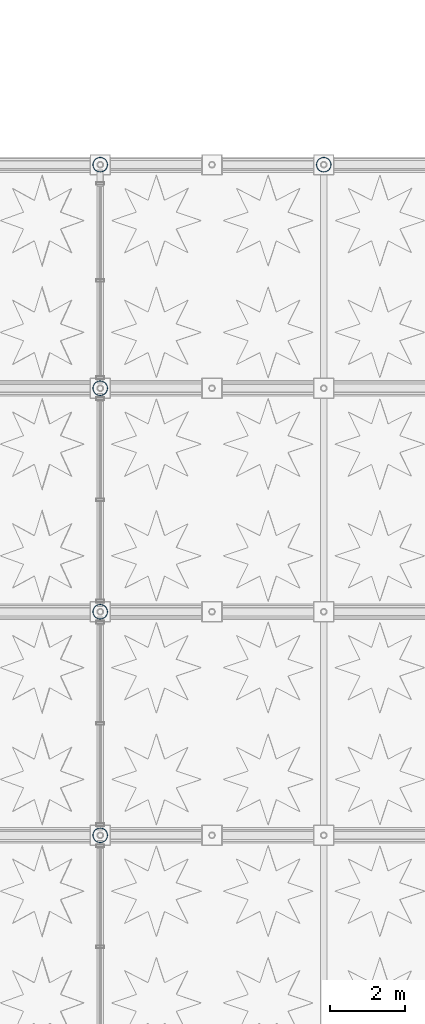
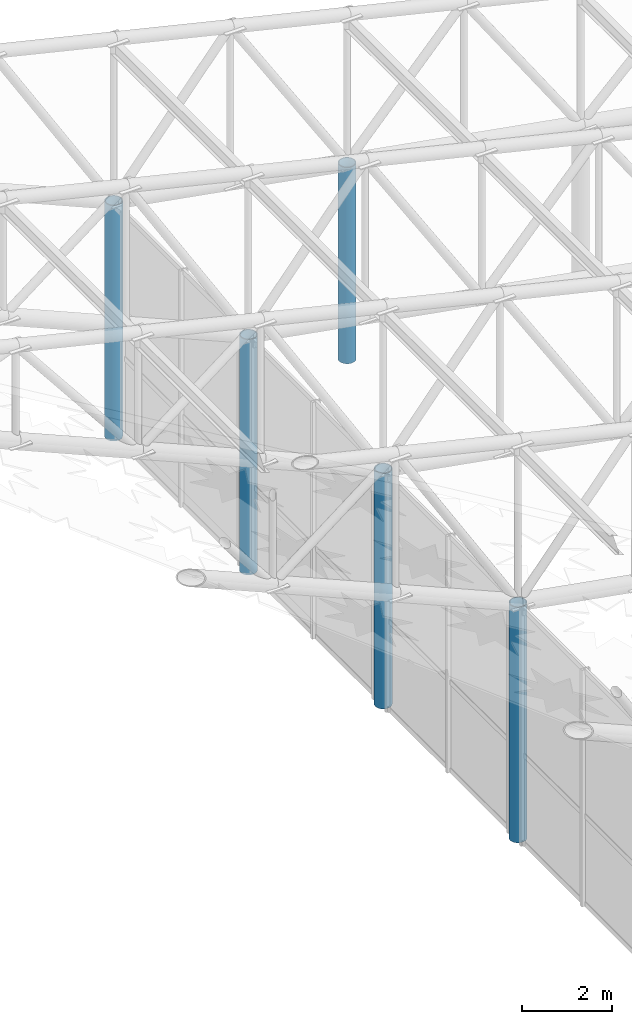
# One storey, part 10 of 112: 5 columns.
"""IFC4 building model written with IfcOpenShell, lengths in metres."""

from ifc_helpers import new_model, si_unit, direction, frame, origin, origin_2d, place, context, subcontext, project, spatial, hollow_circle, extrude, material, material_profile, profile_set, type_object, element, save


model = new_model("IFC4")

# Units and contexts
model_context = context("Model", 3, precision=1e-05, world=origin(), true_north=direction((0.0, 1.0)))
body_context = subcontext(model_context, "Body", "Model", "MODEL_VIEW")
ifc_project = project(units=[si_unit("LENGTHUNIT", "METRE"), si_unit("AREAUNIT", "SQUARE_METRE"), si_unit("VOLUMEUNIT", "CUBIC_METRE"), si_unit("PLANEANGLEUNIT", "RADIAN"), si_unit("MASSUNIT", "GRAM", prefix="KILO"), si_unit("THERMODYNAMICTEMPERATUREUNIT", "KELVIN"), si_unit("POWERUNIT", "WATT")], contexts=[model_context])

# Site, building, storey
site_placement = place(None, origin())
site = spatial("IfcSite", under=ifc_project, at=site_placement, CompositionType="ELEMENT")
building_placement = place(site_placement, origin())
building = spatial("IfcBuilding", under=site, at=building_placement, Name="Phaisarnlok Congress Hotel", CompositionType="ELEMENT")
storey_placement = place(building_placement, frame((0.0, 0.0, 19.800048828125)))
storey = spatial("IfcBuildingStorey", under=building, at=storey_placement, Name="L04", CompositionType="ELEMENT", Elevation=19.800048828125)

# Columns
ifc_material = material(Name="Steel S355", Category="steel")
ifc_material_profile_1 = material_profile(ifc_material, hollow_circle(Radius=0.203125, WallThickness=0.02001953125, at=origin_2d()), Name="CHS 406.4x20")
ifc_profile_set_1 = profile_set([ifc_material_profile_1], Name="Steel S355")
column_type_1 = type_object("IfcColumnType", Name="COL-STL-CHS406", PredefinedType="COLUMN", material=ifc_profile_set_1)
column_placement = place(storey_placement, frame((126.0, 84.0, 0.0), z_axis=(0.0, 0.0, 1.0), x_axis=(1.0, 0.0, 0.0)))
element("IfcColumn", 1, at=column_placement, inside=storey, type_object=column_type_1, Name="Cloister wing-truss sloped bearing column extension SC-02 (L04)", PredefinedType="COLUMN", context=body_context, shape_type="SweptSolid", body=[
    extrude(hollow_circle(Radius=0.203125, WallThickness=0.02001953125, at=origin_2d()), origin(), (0.0, 0.0, 1.0), 5.333251953125),
])
ifc_material_profile_2 = material_profile(ifc_material, hollow_circle(Radius=0.203125, WallThickness=0.02001953125, at=origin_2d()), Name="CHS 406.4x20")
ifc_profile_set_2 = profile_set([ifc_material_profile_2], Name="Steel S355")
column_type_2 = type_object("IfcColumnType", Name="COL-STL-CHS406-EXT", PredefinedType="COLUMN", material=ifc_profile_set_2)
for number, where, z_axis, x_axis, name in (
    (2, (120.0, 66.0, 0.0), (0.0, 0.0, 1.0), (1.0, 0.0, 0.0), "Cloister wing-roof upper slim steel column SC-02E (L04)"),
    (3, (120.0, 72.0, 0.0), (0.0, 0.0, 1.0), (1.0, 0.0, 0.0), "Cloister wing-roof upper slim steel column SC-02E (L04)"),
    (4, (120.0, 78.0, 0.0), (0.0, 0.0, 1.0), (1.0, 0.0, 0.0), "Cloister wing-roof upper slim steel column SC-02E (L04)"),
    (5, (120.0, 84.0, 0.0), (0.0, 0.0, 1.0), (1.0, 0.0, 0.0), "Cloister wing-roof upper slim steel column SC-02E (L04)"),
):
    element("IfcColumn", number, at=place(storey_placement, frame(where, z_axis=z_axis, x_axis=x_axis)), inside=storey, type_object=column_type_2, Name=name, PredefinedType="COLUMN", context=body_context, shape_type="SweptSolid", body=[
        extrude(hollow_circle(Radius=0.203125, WallThickness=0.02001953125, at=origin_2d()), origin(), (0.0, 0.0, 1.0), 6.39990234375),
    ])

save(model, "model.ifc")
